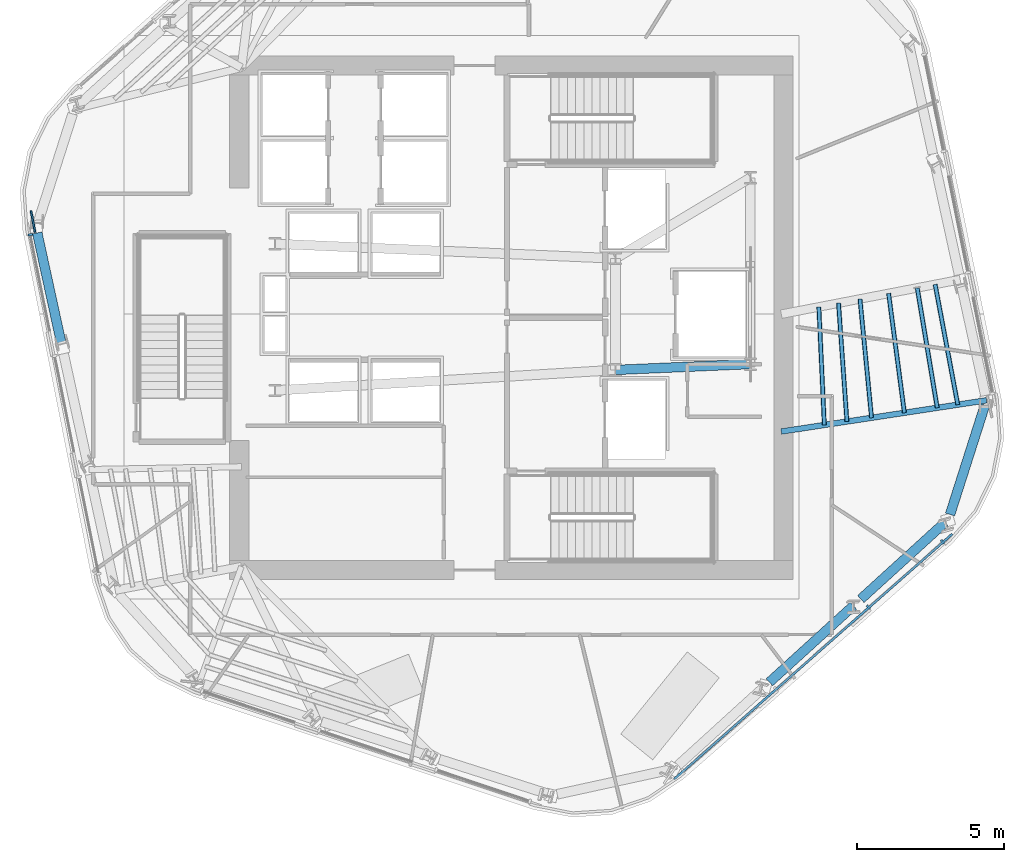
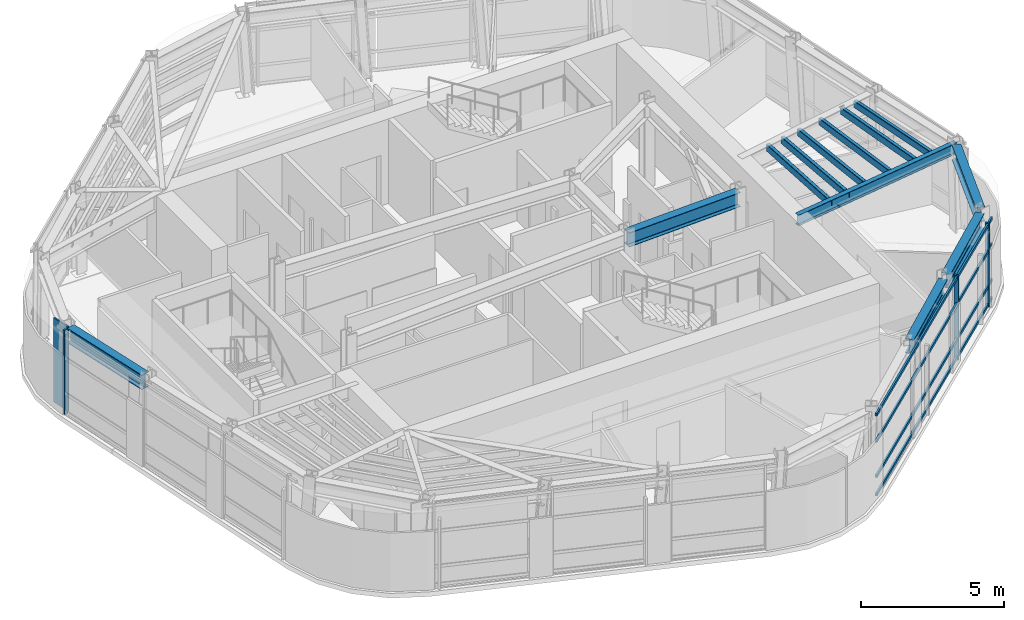
# One storey, part 3 of 15: 14 members, 6 beams, 2 elements without a shape of their own.
"""IFC4 building model written with IfcOpenShell, lengths in metres."""

from ifc_helpers import new_model, si_unit, direction, frame, origin, origin_2d, place, context, subcontext, project, spatial, rectangle, hollow_rectangle, i_section, extrude, material, layer, layer_set, material_profile, profile_set, type_object, element, aggregate, save


model = new_model("IFC4")

# Units and contexts
model_context = context("Model", 3, precision=1e-05, world=origin(), true_north=direction((0.0, 1.0)))
body_context = subcontext(model_context, "Body", "Model", "MODEL_VIEW")
ifc_project = project(units=[si_unit("LENGTHUNIT", "METRE"), si_unit("AREAUNIT", "SQUARE_METRE"), si_unit("VOLUMEUNIT", "CUBIC_METRE"), si_unit("PLANEANGLEUNIT", "RADIAN"), si_unit("MASSUNIT", "GRAM", prefix="KILO")], contexts=[model_context])

# Site, building, storey
site_placement = place(None, origin())
site = spatial("IfcSite", under=ifc_project, at=site_placement, CompositionType="ELEMENT")
building_placement = place(site_placement, origin())
building = spatial("IfcBuilding", under=site, at=building_placement, Name="Valkerne Bourse Tower", CompositionType="ELEMENT")
storey_placement = place(building_placement, frame((0.0, 0.0, 201.800048828125)))
storey = spatial("IfcBuildingStorey", under=building, at=storey_placement, Name="L51", CompositionType="ELEMENT", Elevation=201.800048828125)

# Beams
ifc_material_1 = material(Name="Steel ASTM A992", Category="steel")
ifc_material_profile_1 = material_profile(ifc_material_1, i_section(OverallWidth=0.1904296875, OverallDepth=0.457275390625, WebThickness=0.009033203125, FlangeThickness=0.014404296875, FilletRadius=0.01513671875, at=origin_2d()), Name="W18X50")
ifc_profile_set_1 = profile_set([ifc_material_profile_1], Name="Steel ASTM A992")
beam_type_1 = type_object("IfcBeamType", Name="BM-W18X50", PredefinedType="JOIST", material=ifc_profile_set_1)
beam_1_placement = place(storey_placement, frame((62.995849609375, 24.064697265625, 3.371337890625), z_axis=(-0.988616494681, -0.150457390797, 0.0), x_axis=(0.150457390797, -0.988616494681, 0.0)))
element("IfcBeam", 1, at=beam_1_placement, inside=storey, type_object=beam_type_1, Name="L51 Radial Composite Floor Beam 20", PredefinedType="JOIST", context=body_context, shape_type="SweptSolid", body=[
    extrude(i_section(OverallWidth=0.1904296875, OverallDepth=0.457275390625, WebThickness=0.009033203125, FlangeThickness=0.014404296875, FilletRadius=0.01513671875, at=origin_2d()), origin(), (0.0, 0.0, 1.0), 7.076416015625),
])
ifc_material_profile_2 = material_profile(ifc_material_1, i_section(OverallWidth=0.3251953125, OverallDepth=0.612060546875, WebThickness=0.0126953125, FlangeThickness=0.01904296875, FilletRadius=0.020263671875, at=origin_2d()), Name="W24X104")
ifc_profile_set_2 = profile_set([ifc_material_profile_2], Name="Steel ASTM A992")
beam_type_2 = type_object("IfcBeamType", Name="BM-W24X104", PredefinedType="BEAM", material=ifc_profile_set_2)
beam_2_placement = place(storey_placement, frame((50.35009765625, 25.10009765625, 3.2939453125), z_axis=(0.999056558506, 0.043428019819, 0.0), x_axis=(-0.043428019819, 0.999056558506, 0.0)))
element("IfcBeam", 2, at=beam_2_placement, inside=storey, type_object=beam_type_2, Name="L51 Core Frame Girder CG-SE", PredefinedType="BEAM", context=body_context, shape_type="SweptSolid", body=[
    extrude(i_section(OverallWidth=0.3251953125, OverallDepth=0.612060546875, WebThickness=0.0126953125, FlangeThickness=0.01904296875, FilletRadius=0.020263671875, at=origin_2d()), origin(), (0.0, 0.0, 1.0), 4.604248046875),
])
ifc_material_profile_3 = material_profile(ifc_material_1, i_section(OverallWidth=0.32763671875, OverallDepth=0.62744140625, WebThickness=0.0166015625, FlangeThickness=0.027587890625, FilletRadius=0.020263671875, at=origin_2d()), Name="W24X146")
ifc_profile_set_3 = profile_set([ifc_material_profile_3], Name="Steel ASTM A992")
beam_type_3 = type_object("IfcBeamType", Name="BM-W24X146", PredefinedType="SPANDREL", material=ifc_profile_set_3)
beam_3_placement = place(storey_placement, frame((30.640380859375, 29.76904296875, 3.2861328125), z_axis=(0.213063109736, -0.977038438993, 0.0), x_axis=(0.977038438993, 0.213063109736, 0.0)))
element("IfcBeam", 3, at=beam_3_placement, inside=storey, type_object=beam_type_3, Name="L51 Hexagonal Spandrel Ring Beam 08", PredefinedType="SPANDREL", context=body_context, shape_type="SweptSolid", body=[
    extrude(i_section(OverallWidth=0.32763671875, OverallDepth=0.62744140625, WebThickness=0.0166015625, FlangeThickness=0.027587890625, FilletRadius=0.020263671875, at=origin_2d()), origin(), (0.0, 0.0, 1.0), 3.871826171875),
])
for number, where, z_axis, x_axis, name in (
    (4, (55.596923828125, 14.45556640625, 3.2861328125), (0.739643294031, 0.672999106682, 0.0), (-0.672999106682, 0.739643294031, 0.0), "L51 Hexagonal Spandrel Ring Beam 17"),
    (5, (58.71240234375, 17.290283203125, 3.2861328125), (0.739614734791, 0.673030492682, 0.0), (-0.673030492682, 0.739614734791, 0.0), "L51 Hexagonal Spandrel Ring Beam 18"),
):
    element("IfcBeam", number, at=place(storey_placement, frame(where, z_axis=z_axis, x_axis=x_axis)), inside=storey, type_object=beam_type_3, Name=name, PredefinedType="SPANDREL", context=body_context, shape_type="SweptSolid", body=[
        extrude(i_section(OverallWidth=0.32763671875, OverallDepth=0.62744140625, WebThickness=0.0166015625, FlangeThickness=0.027587890625, FilletRadius=0.020263671875, at=origin_2d()), origin(), (0.0, 0.0, 1.0), 3.8720703125),
    ])
beam_4_placement = place(storey_placement, frame((61.753662109375, 20.172607421875, 3.2861328125), z_axis=(0.304024521907, 0.95266420636, 0.0), x_axis=(-0.95266420636, 0.304024521907, 0.0)))
element("IfcBeam", 6, at=beam_4_placement, inside=storey, type_object=beam_type_3, Name="L51 Hexagonal Spandrel Ring Beam 19", PredefinedType="SPANDREL", context=body_context, shape_type="SweptSolid", body=[
    extrude(i_section(OverallWidth=0.32763671875, OverallDepth=0.62744140625, WebThickness=0.0166015625, FlangeThickness=0.027587890625, FilletRadius=0.020263671875, at=origin_2d()), origin(), (0.0, 0.0, 1.0), 3.91552734375),
])

# Curtain wall, member
ifc_material_2 = material(Name="Aluminium AA 6063-T6", Category="aluminium")
ifc_layer = layer(ifc_material_2, 0.239990234375)
ifc_layer_set = layer_set([ifc_layer], Name="Aluminium AA 6063-T6")
curtain_wall_type = type_object("IfcCurtainWallType", Name="CW-04", PredefinedType="NOTDEFINED", material=ifc_layer_set)
curtain_wall_1_placement = place(storey_placement, origin())
curtain_wall_1 = element("IfcCurtainWall", 7, at=curtain_wall_1_placement, inside=storey, type_object=curtain_wall_type, Name="L51 Hexagonal Stick Curtain Wall Face 3", PredefinedType="NOTDEFINED")
ifc_material_profile_4 = material_profile(ifc_material_2, rectangle(XDim=0.074951171875, YDim=0.159912109375, at=origin_2d()), Name="CWM-75X160")
ifc_profile_set_4 = profile_set([ifc_material_profile_4], Name="Aluminium AA 6063-T6")
member_type_1 = type_object("IfcMemberType", Name="CW-MUL-160X75", PredefinedType="MULLION", material=ifc_profile_set_4)
member_1_placement = place(storey_placement, frame((30.402099609375, 29.710205078125, 0.0), z_axis=(0.0, 0.0, 1.0), x_axis=(0.197649976729, -0.980272659365, 0.0)))
member_1 = element("IfcMember", 8, at=member_1_placement, type_object=member_type_1, Name="CW-L51-F3 Jamb Mullion 00A", PredefinedType="MULLION", context=body_context, shape_type="SweptSolid", body=[
    extrude(rectangle(XDim=0.074951171875, YDim=0.159912109375, at=origin_2d()), origin(), (0.0, 0.0, 1.0), 3.599853515625),
])
aggregate(curtain_wall_1, [member_1])

# Curtain wall, members
curtain_wall_2_placement = place(storey_placement, origin())
curtain_wall_2 = element("IfcCurtainWall", 9, at=curtain_wall_2_placement, inside=storey, type_object=curtain_wall_type, Name="L51 Hexagonal Stick Curtain Wall Face 5", PredefinedType="NOTDEFINED")
member_2_placement = place(storey_placement, frame((58.970703125, 17.0146484375, 0.0), z_axis=(0.0, 0.0, 1.0), x_axis=(0.750119777976, 0.661301987513, 0.0)))
member_2 = element("IfcMember", 10, at=member_2_placement, type_object=member_type_1, Name="CW-L51-F5 Jamb Mullion 02A", PredefinedType="MULLION", context=body_context, shape_type="SweptSolid", body=[
    extrude(rectangle(XDim=0.074951171875, YDim=0.159912109375, at=origin_2d()), origin(), (0.0, 0.0, 1.0), 3.599853515625),
])
member_3_placement = place(storey_placement, frame((61.5, 19.24462890625, 0.0), z_axis=(0.0, 0.0, 1.0), x_axis=(0.750119777976, 0.661301987513, 0.0)))
member_3 = element("IfcMember", 11, at=member_3_placement, type_object=member_type_1, Name="CW-L51-F5 Jamb Mullion 02B", PredefinedType="MULLION", context=body_context, shape_type="SweptSolid", body=[
    extrude(rectangle(XDim=0.074951171875, YDim=0.159912109375, at=origin_2d()), origin(), (0.0, 0.0, 1.0), 3.599853515625),
])
ifc_material_profile_5 = material_profile(ifc_material_2, rectangle(XDim=0.074951171875, YDim=0.1201171875, at=origin_2d()), Name="CWT-75X120")
ifc_profile_set_5 = profile_set([ifc_material_profile_5], Name="Aluminium AA 6063-T6")
member_type_2 = type_object("IfcMemberType", Name="CW-TRN-120X75", PredefinedType="USERDEFINED", material=ifc_profile_set_5)
member_4_placement = place(storey_placement, frame((52.35009765625, 11.151123046875, 0.119873046875), z_axis=(0.750111823079, 0.661311010703, 0.0), x_axis=(-0.661311010703, 0.750111823079, 0.0)))
member_4 = element("IfcMember", 12, at=member_4_placement, type_object=member_type_2, Name="CW-L51-F5 Continuous Face Transom 1", ObjectType="TRANSOM", PredefinedType="USERDEFINED", context=body_context, shape_type="SweptSolid", body=[
    extrude(rectangle(XDim=0.074951171875, YDim=0.1201171875, at=origin_2d()), origin(), (0.0, 0.0, 1.0), 12.6357421875),
])
member_5_placement = place(storey_placement, frame((52.35009765625, 11.151123046875, 0.89990234375), z_axis=(0.750111823079, 0.661311010703, 0.0), x_axis=(-0.661311010703, 0.750111823079, 0.0)))
member_5 = element("IfcMember", 13, at=member_5_placement, type_object=member_type_2, Name="CW-L51-F5 Continuous Face Transom 2", ObjectType="TRANSOM", PredefinedType="USERDEFINED", context=body_context, shape_type="SweptSolid", body=[
    extrude(rectangle(XDim=0.074951171875, YDim=0.1201171875, at=origin_2d()), origin(), (0.0, 0.0, 1.0), 12.6357421875),
])
member_6_placement = place(storey_placement, frame((52.35009765625, 11.151123046875, 2.39990234375), z_axis=(0.750111823079, 0.661311010703, 0.0), x_axis=(-0.661311010703, 0.750111823079, 0.0)))
member_6 = element("IfcMember", 14, at=member_6_placement, type_object=member_type_2, Name="CW-L51-F5 Continuous Face Transom 3", ObjectType="TRANSOM", PredefinedType="USERDEFINED", context=body_context, shape_type="SweptSolid", body=[
    extrude(rectangle(XDim=0.074951171875, YDim=0.1201171875, at=origin_2d()), origin(), (0.0, 0.0, 1.0), 12.6357421875),
])
member_7_placement = place(storey_placement, frame((52.35009765625, 11.151123046875, 3.52001953125), z_axis=(0.750111823079, 0.661311010703, 0.0), x_axis=(-0.661311010703, 0.750111823079, 0.0)))
member_7 = element("IfcMember", 15, at=member_7_placement, type_object=member_type_2, Name="CW-L51-F5 Continuous Face Transom 4", ObjectType="TRANSOM", PredefinedType="USERDEFINED", context=body_context, shape_type="SweptSolid", body=[
    extrude(rectangle(XDim=0.074951171875, YDim=0.1201171875, at=origin_2d()), origin(), (0.0, 0.0, 1.0), 12.6357421875),
])
aggregate(curtain_wall_2, [member_4, member_5, member_6, member_7, member_2, member_3])

# Members
ifc_material_3 = material(Name="Bronze Anodised Aluminium AA 6063-T6", Category="aluminium")
ifc_material_profile_6 = material_profile(ifc_material_3, rectangle(XDim=0.06494140625, YDim=0.75, at=origin_2d()), Name="FIN-65X750")
ifc_profile_set_6 = profile_set([ifc_material_profile_6], Name="Bronze Anodised Aluminium AA 6063-T6")
member_type_3 = type_object("IfcMemberType", Name="FIN-SOLAR-650", PredefinedType="USERDEFINED", material=ifc_profile_set_6)
member_8_placement = place(storey_placement, frame((30.49560546875, 30.15771484375, 0.00390625), z_axis=(0.0, 0.0, 1.0), x_axis=(-0.982003396293, -0.188863256535, 0.0)))
element("IfcMember", 16, at=member_8_placement, inside=storey, type_object=member_type_3, Name="L51 Bronze Anodised Solar Fin F3-00", ObjectType="SOLAR_FIN", PredefinedType="USERDEFINED", context=body_context, shape_type="SweptSolid", body=[
    extrude(rectangle(XDim=0.06494140625, YDim=0.75, at=origin_2d()), origin(), (0.0, 0.0, 1.0), 3.592041015625),
])
ifc_material_4 = material(Name="Steel ASTM A500 Grade C", Category="steel")
ifc_material_profile_7 = material_profile(ifc_material_4, hollow_rectangle(XDim=0.14990234375, YDim=0.300048828125, WallThickness=0.012451171875, OuterFilletRadius=0.02490234375, at=origin_2d()), Name="HSS300X150X12.5")
ifc_profile_set_7 = profile_set([ifc_material_profile_7], Name="Steel ASTM A500 Grade C")
member_type_4 = type_object("IfcMemberType", Name="MBR-HSS300X150X12.5", PredefinedType="PURLIN", material=ifc_profile_set_7)
member_9_placement = place(storey_placement, frame((58.23876953125, 23.3408203125, 3.43994140625), z_axis=(-0.071002685116, 0.997476124379, 0.0), x_axis=(-0.997476124379, -0.071002685116, 0.0)))
element("IfcMember", 17, at=member_9_placement, inside=storey, type_object=member_type_4, Name="L51 Secondary Composite Floor Purlin I-20", PredefinedType="PURLIN", context=body_context, shape_type="SweptSolid", body=[
    extrude(hollow_rectangle(XDim=0.14990234375, YDim=0.300048828125, WallThickness=0.012451171875, OuterFilletRadius=0.02490234375, at=origin_2d()), origin(), (0.0, 0.0, 1.0), 4.047119140625),
])
member_10_placement = place(storey_placement, frame((59.078125, 23.468505859375, 3.43994140625), z_axis=(-0.096997065292, 0.995284667482, 0.0), x_axis=(-0.995284667482, -0.096997065292, 0.0)))
element("IfcMember", 18, at=member_10_placement, inside=storey, type_object=member_type_4, Name="L51 Secondary Composite Floor Purlin K-20", PredefinedType="PURLIN", context=body_context, shape_type="SweptSolid", body=[
    extrude(hollow_rectangle(XDim=0.14990234375, YDim=0.300048828125, WallThickness=0.012451171875, OuterFilletRadius=0.02490234375, at=origin_2d()), origin(), (0.0, 0.0, 1.0), 4.070068359375),
])
member_11_placement = place(storey_placement, frame((61.31689453125, 23.80908203125, 3.43994140625), z_axis=(-0.164532725055, 0.986371624889, 0.0), x_axis=(-0.986371624889, -0.164532725055, 0.0)))
element("IfcMember", 19, at=member_11_placement, inside=storey, type_object=member_type_4, Name="L51 Secondary Composite Floor Purlin O-20", PredefinedType="PURLIN", context=body_context, shape_type="SweptSolid", body=[
    extrude(hollow_rectangle(XDim=0.14990234375, YDim=0.300048828125, WallThickness=0.012451171875, OuterFilletRadius=0.02490234375, at=origin_2d()), origin(), (0.0, 0.0, 1.0), 4.144287109375),
])
member_12_placement = place(storey_placement, frame((60.197509765625, 23.638916015625, 3.43994140625), z_axis=(-0.13115456058, 0.991361932515, 0.0), x_axis=(-0.991361932515, -0.13115456058, 0.0)))
element("IfcMember", 20, at=member_12_placement, inside=storey, type_object=member_type_4, Name="L51 Secondary Composite Floor Purlin Z-20", PredefinedType="PURLIN", context=body_context, shape_type="SweptSolid", body=[
    extrude(hollow_rectangle(XDim=0.14990234375, YDim=0.300048828125, WallThickness=0.012451171875, OuterFilletRadius=0.02490234375, at=origin_2d()), origin(), (0.0, 0.0, 1.0), 4.1044921875),
])
member_13_placement = place(storey_placement, frame((57.468994140625, 23.2236328125, 3.43994140625), z_axis=(-0.046724378394, 0.998907819803, 0.0), x_axis=(-0.998907819803, -0.046724378394, 0.0)))
element("IfcMember", 21, at=member_13_placement, inside=storey, type_object=member_type_4, Name="L51 Secondary Composite Floor Purlin S-20", PredefinedType="PURLIN", context=body_context, shape_type="SweptSolid", body=[
    extrude(hollow_rectangle(XDim=0.14990234375, YDim=0.300048828125, WallThickness=0.012451171875, OuterFilletRadius=0.02490234375, at=origin_2d()), origin(), (0.0, 0.0, 1.0), 4.028564453125),
])
member_14_placement = place(storey_placement, frame((62.016357421875, 23.915771484375, 3.43994140625), z_axis=(-0.185016477563, 0.98273541863, 0.0), x_axis=(-0.98273541863, -0.185016477563, 0.0)))
element("IfcMember", 22, at=member_14_placement, inside=storey, type_object=member_type_4, Name="L51 Secondary Composite Floor Purlin T-20", PredefinedType="PURLIN", context=body_context, shape_type="SweptSolid", body=[
    extrude(hollow_rectangle(XDim=0.14990234375, YDim=0.300048828125, WallThickness=0.012451171875, OuterFilletRadius=0.02490234375, at=origin_2d()), origin(), (0.0, 0.0, 1.0), 4.171142578125),
])

save(model, "model.ifc")
